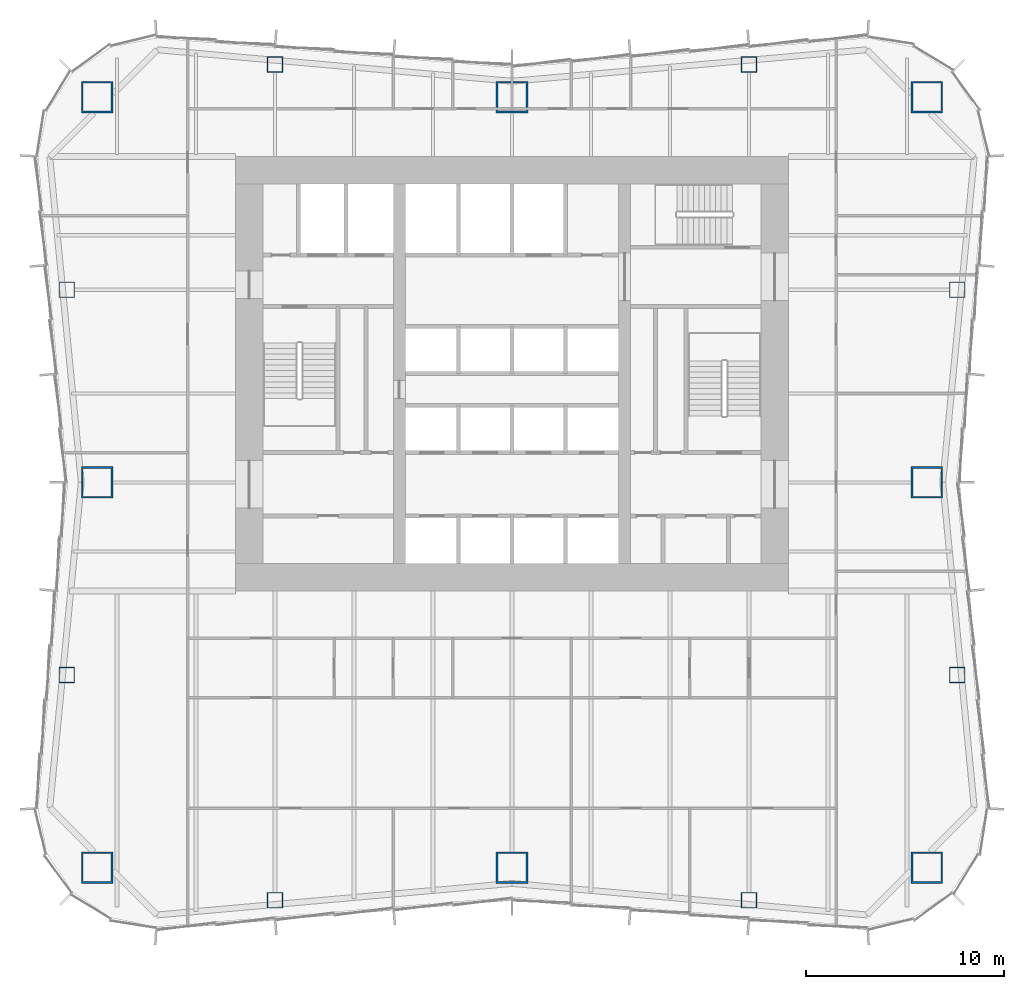
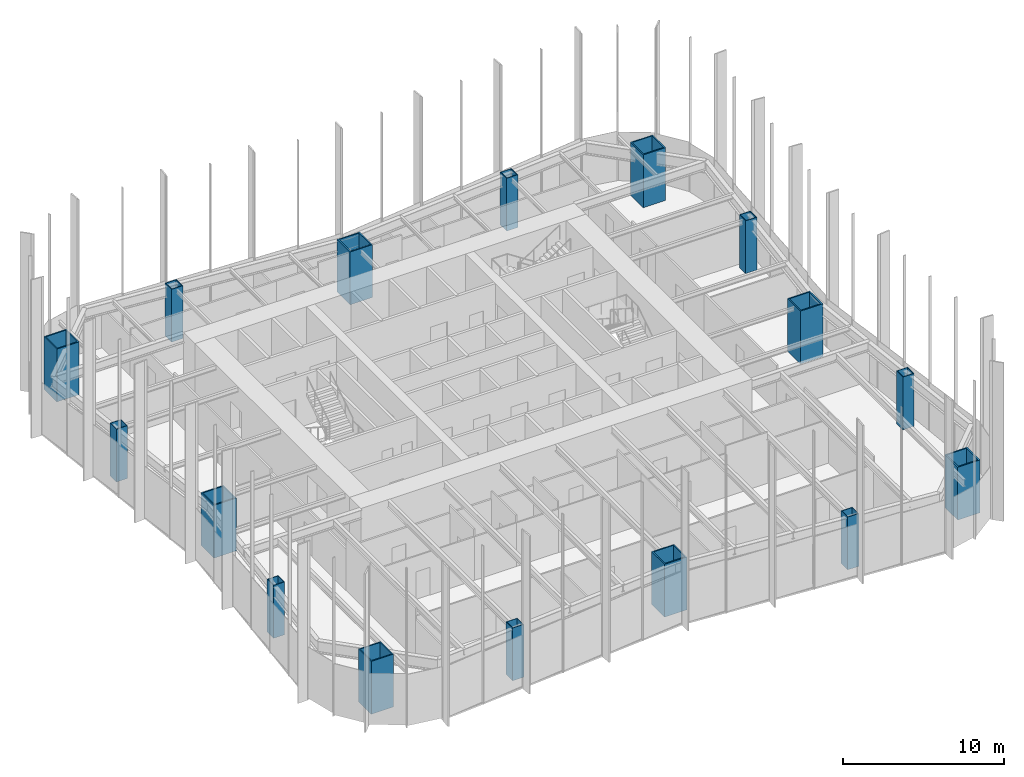
# One storey, part 1 of 13: 16 columns.
"""IFC4 building model written with IfcOpenShell, lengths in metres."""

import ifcopenshell
import ifcopenshell.guid

model = None  # the IFC model being written
_history = None  # IfcOwnerHistory: only IFC2X3 demands one
_inside = {}  # id of a spatial element -> (the spatial element, [elements in it])
_under = {}  # id of a project, library or spatial element -> (it, [spatial elements below it])
_declared = {}  # id of a project -> (the project, [libraries it declares])
_typed = {}  # id of a type object -> (the type object, [elements of that type])
_made_of = {}  # id of a material, layer set ... -> (it, [elements and type objects made of it])


def new_model(schema):
    """Start an empty IFC model of exactly this schema.

    Asked for "IFC4X3", IfcOpenShell would pick the latest addendum, in which some entities
    have other attributes; the version numbers below select the first issue.
    IFC2X3 requires an IfcOwnerHistory on every rooted entity: one is made here for all.
    """
    global model, _history
    if schema == "IFC4X3":
        model = ifcopenshell.file(schema_version=(4, 3, 0, 0))
    else:
        model = ifcopenshell.file(schema=schema)
    _inside.clear()
    _under.clear()
    _declared.clear()
    _typed.clear()
    _made_of.clear()
    _history = None
    if model.schema == "IFC2X3":
        org = make("IfcOrganization", Name="unknown")
        user = make(
            "IfcPersonAndOrganization",
            ThePerson=make("IfcPerson", FamilyName="unknown"),
            TheOrganization=org,
        )
        app = make(
            "IfcApplication",
            ApplicationDeveloper=org,
            Version="unknown",
            ApplicationFullName="unknown",
            ApplicationIdentifier="unknown",
        )
        _history = make(
            "IfcOwnerHistory",
            OwningUser=user,
            OwningApplication=app,
            ChangeAction="ADDED",
            CreationDate=0,
        )
    return model


def make(cls, **values):
    """One entity of the class cls with the attributes given. An attribute that is None is left unset."""
    return model.create_entity(
        cls, **{name: value for name, value in values.items() if value is not None}
    )


def rooted(cls, **values):
    """An entity with a GlobalId (a new one), such as an element, a storey or a relation."""
    return make(cls, GlobalId=ifcopenshell.guid.new(), OwnerHistory=_history, **values)


def si_unit(unit_type, name, prefix=None):
    """IfcSIUnit, for example si_unit("LENGTHUNIT", "METRE", prefix="MILLI")."""
    return make("IfcSIUnit", UnitType=unit_type, Prefix=prefix, Name=name)


def assignment(units):
    """IfcUnitAssignment: the units of a project."""
    return None if units is None else make("IfcUnitAssignment", Units=units)


def point(xyz):
    """IfcCartesianPoint."""
    return None if xyz is None else make("IfcCartesianPoint", Coordinates=xyz)


def direction(xyz):
    """IfcDirection."""
    return None if xyz is None else make("IfcDirection", DirectionRatios=xyz)


def frame(location, z_axis=None, x_axis=None):
    """IfcAxis2Placement3D, a coordinate frame: its origin and axes. An axis left out is left unset."""
    return make(
        "IfcAxis2Placement3D",
        Location=point(location),
        Axis=direction(z_axis),
        RefDirection=direction(x_axis),
    )


def frame_2d(location, x_axis=None):
    """IfcAxis2Placement2D, a coordinate frame in the plane: its origin and x axis."""
    return make(
        "IfcAxis2Placement2D", Location=point(location), RefDirection=direction(x_axis)
    )


def origin():
    """The frame at (0, 0, 0) with its axes left unset."""
    return frame((0.0, 0.0, 0.0))


def origin_2d():
    """The frame at (0, 0) in the plane with its x axis left unset."""
    return frame_2d((0.0, 0.0))


def place(relative_to, where):
    """IfcLocalPlacement: puts the frame where relative to a parent placement (None: the world)."""
    return make(
        "IfcLocalPlacement", PlacementRelTo=relative_to, RelativePlacement=where
    )


def context(
    kind, dimensions, precision=None, world=None, true_north=None, identifier=None
):
    """IfcGeometricRepresentationContext, for example the 3D "Model" context."""
    return make(
        "IfcGeometricRepresentationContext",
        ContextIdentifier=identifier,
        ContextType=kind,
        CoordinateSpaceDimension=dimensions,
        Precision=precision,
        WorldCoordinateSystem=world,
        TrueNorth=true_north,
    )


def subcontext(parent, identifier, kind, view, scale=None):
    """IfcGeometricRepresentationSubContext, for example "Body" below "Model"."""
    return make(
        "IfcGeometricRepresentationSubContext",
        ContextIdentifier=identifier,
        ContextType=kind,
        ParentContext=parent,
        TargetScale=scale,
        TargetView=view,
    )


def project(units=None, contexts=None):
    """IfcProject with its units and contexts."""
    return rooted(
        "IfcProject",
        Name="project",
        RepresentationContexts=contexts,
        UnitsInContext=assignment(units),
    )


def spatial(cls, under=None, at=None, **own):
    """A site, building, storey or space (cls), placed at a placement, below another one or the project."""
    s = rooted(cls, ObjectPlacement=at, **own)
    if under is not None:
        _under.setdefault(under.id(), (under, []))[1].append(s)
    return s


def profile(cls, at=None, kind="AREA", **sizes):
    """A parametric profile (cls). Its sizes go by their IFC names, for example OverallWidth=200.0."""
    return make(cls, ProfileType=kind, Position=at, **sizes)


def hollow_rectangle(**sizes):
    """IfcRectangleHollowProfileDef."""
    return profile("IfcRectangleHollowProfileDef", **sizes)


def extrude(swept, where, along, depth):
    """IfcExtrudedAreaSolid: the profile swept, set in the frame where, extruded along a direction by depth."""
    return make(
        "IfcExtrudedAreaSolid",
        SweptArea=swept,
        Position=where,
        ExtrudedDirection=direction(along),
        Depth=depth,
    )


def shape(context_of_items, identifier, shape_type, items):
    """IfcShapeRepresentation: the items that make up one representation, for example the "Body"."""
    return make(
        "IfcShapeRepresentation",
        ContextOfItems=context_of_items,
        RepresentationIdentifier=identifier,
        RepresentationType=shape_type,
        Items=items,
    )


def material(Name=None, Category=None):
    """IfcMaterial."""
    return make("IfcMaterial", Name=Name, Category=Category)


def material_profile(
    of_material, cross_section, Name=None, Category=None, Priority=None
):
    """IfcMaterialProfile: a cross section and its material."""
    return make(
        "IfcMaterialProfile",
        Name=Name,
        Material=of_material,
        Profile=cross_section,
        Priority=Priority,
        Category=Category,
    )


def profile_set(profiles, Name=None, composite=None):
    """IfcMaterialProfileSet."""
    return make(
        "IfcMaterialProfileSet",
        Name=Name,
        MaterialProfiles=profiles,
        CompositeProfile=composite,
    )


def made_of(thing, what):
    """Note that an element or type object is made of a material, layer set ...; save() writes the relation."""
    if what is not None:
        _made_of.setdefault(what.id(), (what, []))[1].append(thing)
    return thing


def type_object(cls, material=None, **own):
    """A type object (cls), such as IfcWallType, which elements share."""
    return made_of(rooted(cls, **own), material)


def element(
    cls,
    number,
    at=None,
    inside=None,
    cuts=None,
    type_object=None,
    material=None,
    context=None,
    identifier="Body",
    shape_type=None,
    held_by="IfcProductDefinitionShape",
    body=None,
    shapes=None,
    **own,
):
    """One element of the class cls, such as IfcWall. Its Tag is "e" and its number.

    at: its placement. inside: the storey or other place that contains it. cuts: it is an
    opening in that element (IfcRelVoidsElement). A single representation is given by context,
    identifier, shape_type and body (its items); several are given by shapes. held_by: the class
    of the entity that holds the representations. save() writes the other relations.
    """
    e = rooted(cls, Tag="e%d" % number, ObjectPlacement=at, **own)
    if body is not None:
        shapes = [shape(context, identifier, shape_type, body)]
    if shapes is not None:
        e.Representation = make(held_by, Representations=shapes)
    if inside is not None:
        _inside.setdefault(inside.id(), (inside, []))[1].append(e)
    if cuts is not None:
        rooted(
            "IfcRelVoidsElement", RelatingBuildingElement=cuts, RelatedOpeningElement=e
        )
    if type_object is not None:
        _typed.setdefault(type_object.id(), (type_object, []))[1].append(e)
    return made_of(e, material)


def aggregate(whole, parts):
    """IfcRelAggregates: a whole, such as a stair, and the parts it consists of."""
    return rooted("IfcRelAggregates", RelatingObject=whole, RelatedObjects=parts)


def save(model, path):
    """Write the relations noted so far, then the file.

    IfcRelAggregates (storeys below a building ...), IfcRelContainedInSpatialStructure (elements
    in a storey), IfcRelDefinesByType, IfcRelAssociatesMaterial and IfcRelDeclares: one each for
    every whole, place, type object, material and project.
    """
    for whole, parts in _under.values():
        aggregate(whole, parts)
    for where, things in _inside.values():
        rooted(
            "IfcRelContainedInSpatialStructure",
            RelatedElements=things,
            RelatingStructure=where,
        )
    for kind, things in _typed.values():
        rooted("IfcRelDefinesByType", RelatedObjects=things, RelatingType=kind)
    for what, things in _made_of.values():
        rooted("IfcRelAssociatesMaterial", RelatedObjects=things, RelatingMaterial=what)
    for by, libraries in _declared.values():
        rooted("IfcRelDeclares", RelatingContext=by, RelatedDefinitions=libraries)
    model.write(path)


model = new_model("IFC4")

# Units and contexts
model_context = context("Model", 3, precision=1e-05, world=origin(), true_north=direction((0.0, 1.0)))
body_context = subcontext(model_context, "Body", "Model", "MODEL_VIEW")
ifc_project = project(units=[si_unit("LENGTHUNIT", "METRE"), si_unit("AREAUNIT", "SQUARE_METRE"), si_unit("VOLUMEUNIT", "CUBIC_METRE"), si_unit("PLANEANGLEUNIT", "RADIAN"), si_unit("MASSUNIT", "GRAM", prefix="KILO")], contexts=[model_context])

# Site, building, storey
site_placement = place(None, origin())
site = spatial("IfcSite", under=ifc_project, at=site_placement, CompositionType="ELEMENT")
building_placement = place(site_placement, origin())
building = spatial("IfcBuilding", under=site, at=building_placement, Name="Verdant Reach Tower", CompositionType="ELEMENT")
storey_placement = place(building_placement, frame((0.0, 0.0, 26.0)))
storey = spatial("IfcBuildingStorey", under=building, at=storey_placement, Name="L05", CompositionType="ELEMENT", Elevation=26.0)

# Columns
ifc_material = material(Name="Steel S460", Category="steel")
ifc_material_profile_1 = material_profile(ifc_material, hollow_rectangle(XDim=1.60009765625, YDim=1.60009765625, WallThickness=0.090087890625, at=origin_2d()), Name="WB 1600x1600x90")
ifc_profile_set_1 = profile_set([ifc_material_profile_1], Name="Steel S460")
column_type_1 = type_object("IfcColumnType", Name="ST-COL-WB1600x1600x90", PredefinedType="COLUMN", material=ifc_profile_set_1)
for number, where, z_axis, x_axis, name in (
    (1, (-21.0, 42.0, 0.0), (0.0, 0.0, 1.0), (1.0, 0.0, 0.0), "Mega column north-west, L05"),
    (2, (0.0, 42.0, 0.0), (0.0, 0.0, 1.0), (1.0, 0.0, 0.0), "Mega column north, L05"),
    (3, (21.0, 42.0, 0.0), (0.0, 0.0, 1.0), (1.0, 0.0, 0.0), "Mega column north-east, L05"),
    (4, (21.0, 22.5, 0.0), (0.0, 0.0, 1.0), (1.0, 0.0, 0.0), "Mega column east, L05"),
    (5, (21.0, 3.0, 0.0), (0.0, 0.0, 1.0), (1.0, 0.0, 0.0), "Mega column south-east, L05"),
    (6, (0.0, 3.0, 0.0), (0.0, 0.0, 1.0), (1.0, 0.0, 0.0), "Mega column south, L05"),
    (7, (-21.0, 3.0, 0.0), (0.0, 0.0, 1.0), (1.0, 0.0, 0.0), "Mega column south-west, L05"),
    (8, (-21.0, 22.5, 0.0), (0.0, 0.0, 1.0), (1.0, 0.0, 0.0), "Mega column west, L05"),
):
    element("IfcColumn", number, at=place(storey_placement, frame(where, z_axis=z_axis, x_axis=x_axis)), inside=storey, type_object=column_type_1, Name=name, PredefinedType="COLUMN", context=body_context, shape_type="SweptSolid", body=[
        extrude(hollow_rectangle(XDim=1.60009765625, YDim=1.60009765625, WallThickness=0.090087890625, at=origin_2d()), origin(), (0.0, 0.0, 1.0), 4.0),
    ])
ifc_material_profile_2 = material_profile(ifc_material, hollow_rectangle(XDim=0.800048828125, YDim=0.800048828125, WallThickness=0.0400390625, at=origin_2d()), Name="WB 800x800x40")
ifc_profile_set_2 = profile_set([ifc_material_profile_2], Name="Steel S460")
column_type_2 = type_object("IfcColumnType", Name="ST-COL-WB800x800x40", PredefinedType="COLUMN", material=ifc_profile_set_2)
for number, where, z_axis, x_axis, name in (
    (9, (-12.0, 43.64990234375, 0.0), (0.0, 0.0, 1.0), (1.0, 0.0, 0.0), "Perimeter column north 1, L05"),
    (10, (12.0, 43.64990234375, 0.0), (0.0, 0.0, 1.0), (1.0, 0.0, 0.0), "Perimeter column north 2, L05"),
    (11, (-12.0, 1.35009765625, 0.0), (0.0, 0.0, 1.0), (1.0, 0.0, 0.0), "Perimeter column south 1, L05"),
    (12, (12.0, 1.35009765625, 0.0), (0.0, 0.0, 1.0), (1.0, 0.0, 0.0), "Perimeter column south 2, L05"),
    (13, (22.536376953125, 12.75, 0.0), (0.0, 0.0, 1.0), (1.0, 0.0, 0.0), "Perimeter column east 1, L05"),
    (14, (22.536376953125, 32.25, 0.0), (0.0, 0.0, 1.0), (1.0, 0.0, 0.0), "Perimeter column east 2, L05"),
    (15, (-22.536376953125, 12.75, 0.0), (0.0, 0.0, 1.0), (1.0, 0.0, 0.0), "Perimeter column west 1, L05"),
    (16, (-22.536376953125, 32.25, 0.0), (0.0, 0.0, 1.0), (1.0, 0.0, 0.0), "Perimeter column west 2, L05"),
):
    element("IfcColumn", number, at=place(storey_placement, frame(where, z_axis=z_axis, x_axis=x_axis)), inside=storey, type_object=column_type_2, Name=name, PredefinedType="COLUMN", context=body_context, shape_type="SweptSolid", body=[
        extrude(hollow_rectangle(XDim=0.800048828125, YDim=0.800048828125, WallThickness=0.0400390625, at=origin_2d()), origin(), (0.0, 0.0, 1.0), 4.0),
    ])

save(model, "model.ifc")
